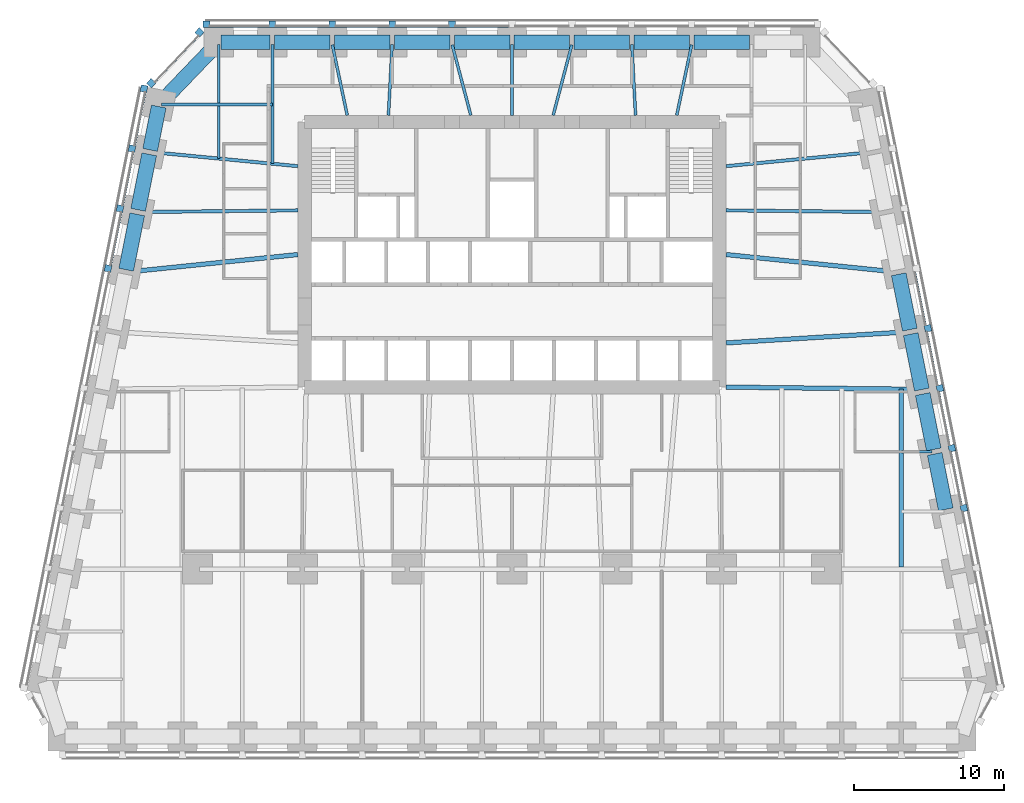
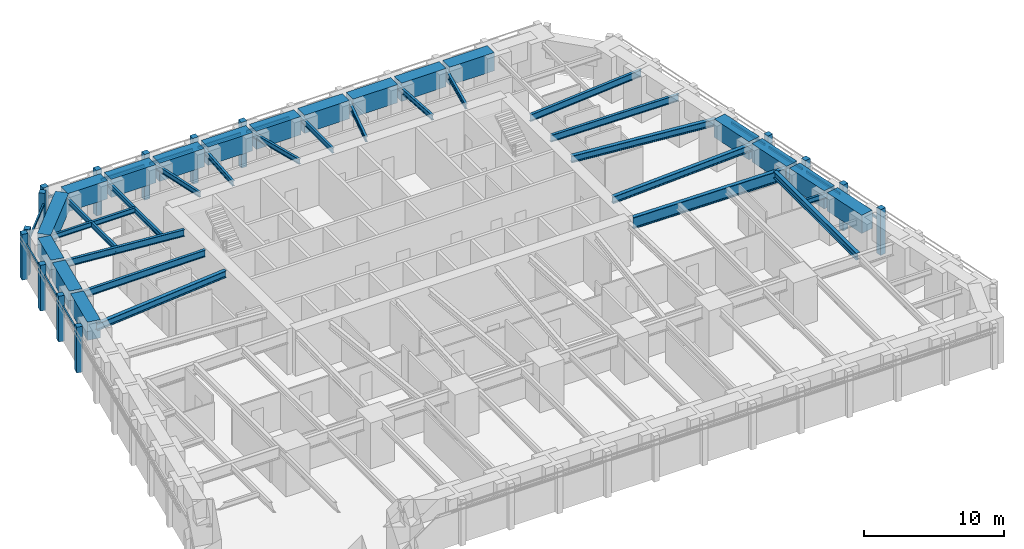
# One storey, part 3 of 10: 37 beams, 28 members, 4 elements without a shape of their own.
"""IFC4 building model written with IfcOpenShell, lengths in metres."""

from ifc_helpers import new_model, si_unit, direction, frame, origin, origin_2d, place, context, subcontext, project, spatial, rectangle, i_section, extrude, material, material_profile, profile_set, type_object, element, aggregate, save


model = new_model("IFC4")

# Units and contexts
model_context = context("Model", 3, precision=1e-05, world=origin(), true_north=direction((0.0, 1.0)))
body_context = subcontext(model_context, "Body", "Model", "MODEL_VIEW")
ifc_project = project(units=[si_unit("LENGTHUNIT", "METRE"), si_unit("AREAUNIT", "SQUARE_METRE"), si_unit("VOLUMEUNIT", "CUBIC_METRE"), si_unit("PLANEANGLEUNIT", "RADIAN"), si_unit("MASSUNIT", "GRAM", prefix="KILO")], contexts=[model_context])

# Site, building, storey
site_placement = place(None, origin())
site = spatial("IfcSite", under=ifc_project, at=site_placement, CompositionType="ELEMENT")
building_placement = place(site_placement, origin())
building = spatial("IfcBuilding", under=site, at=building_placement, Name="Isbrekke Arena Tower", CompositionType="ELEMENT")
storey_placement = place(building_placement, frame((0.0, 0.0, 76.0)))
storey = spatial("IfcBuildingStorey", under=building, at=storey_placement, Name="L16", CompositionType="ELEMENT", Elevation=76.0)

# Beams
ifc_material_1 = material(Name="Steel S355", Category="steel")
ifc_material_profile_1 = material_profile(ifc_material_1, i_section(OverallWidth=0.219970703125, OverallDepth=0.60009765625, WebThickness=0.011962890625, FlangeThickness=0.01904296875, FilletRadius=0.02392578125, at=origin_2d()), Name="IPE 600")
ifc_profile_set_1 = profile_set([ifc_material_profile_1], Name="Steel S355")
beam_type_1 = type_object("IfcBeamType", Name="B1 IPE 600", PredefinedType="BEAM", material=ifc_profile_set_1)
beam_1_placement = place(storey_placement, frame((24.83984375, 17.838134765625, 3.550048828125), z_axis=(-0.999943729589, 0.010608376645, 0.0), x_axis=(-0.010608376645, -0.999943729589, 0.0)))
element("IfcBeam", 1, at=beam_1_placement, inside=storey, type_object=beam_type_1, Name="B1 beam E-E09 L16", PredefinedType="BEAM", context=body_context, shape_type="SweptSolid", body=[
    extrude(i_section(OverallWidth=0.219970703125, OverallDepth=0.60009765625, WebThickness=0.011962890625, FlangeThickness=0.01904296875, FilletRadius=0.02392578125, at=origin_2d()), origin(), (0.0, 0.0, 1.0), 10.540283203125),
])
for number, where, z_axis, x_axis, name in (
    (2, (24.030517578125, 21.837158203125, 3.550048828125), (-0.995393091527, -0.095878012805, 0.0), (0.095878012805, -0.995393091527, 0.0), "B1 beam E-E10 L16"),
    (3, (-24.030517578125, 21.837158203125, 3.550048828125), (0.995393091527, -0.095878012805, 0.0), (0.095878012805, 0.995393091527, 0.0), "B1 beam E-W02 L16"),
):
    element("IfcBeam", number, at=place(storey_placement, frame(where, z_axis=z_axis, x_axis=x_axis)), inside=storey, type_object=beam_type_1, Name=name, PredefinedType="BEAM", context=body_context, shape_type="SweptSolid", body=[
        extrude(i_section(OverallWidth=0.219970703125, OverallDepth=0.60009765625, WebThickness=0.011962890625, FlangeThickness=0.01904296875, FilletRadius=0.02392578125, at=origin_2d()), origin(), (0.0, 0.0, 1.0), 9.775390625),
    ])
beam_2_placement = place(storey_placement, frame((-24.83984375, 17.838134765625, 3.550048828125), z_axis=(0.999943729589, 0.010608376645, 0.0), x_axis=(-0.010608376645, 0.999943729589, 0.0)))
element("IfcBeam", 4, at=beam_2_placement, inside=storey, type_object=beam_type_1, Name="B1 beam E-W03 L16", PredefinedType="BEAM", context=body_context, shape_type="SweptSolid", body=[
    extrude(i_section(OverallWidth=0.219970703125, OverallDepth=0.60009765625, WebThickness=0.011962890625, FlangeThickness=0.01904296875, FilletRadius=0.02392578125, at=origin_2d()), origin(), (0.0, 0.0, 1.0), 10.540283203125),
])
ifc_material_2 = material(Name="Steel S355", Category="steel")
ifc_material_profile_2 = material_profile(ifc_material_2, i_section(OverallWidth=0.18994140625, OverallDepth=0.449951171875, WebThickness=0.009521484375, FlangeThickness=0.0146484375, FilletRadius=0.02099609375, at=origin_2d()), Name="IPE 450")
ifc_profile_set_2 = profile_set([ifc_material_profile_2], Name="Steel S355")
beam_type_2 = type_object("IfcBeamType", Name="B2 IPE 450", PredefinedType="BEAM", material=ifc_profile_set_2)
beam_3_placement = place(storey_placement, frame((28.041015625, 1.838134765625, 3.625), z_axis=(-1.0, 0.0, 0.0), x_axis=(0.0, -1.0, 0.0)))
element("IfcBeam", 5, at=beam_3_placement, inside=storey, type_object=beam_type_2, Name="B2 beam E-E05 L16", PredefinedType="BEAM", context=body_context, shape_type="SweptSolid", body=[
    extrude(i_section(OverallWidth=0.18994140625, OverallDepth=0.449951171875, WebThickness=0.009521484375, FlangeThickness=0.0146484375, FilletRadius=0.02099609375, at=origin_2d()), origin(), (0.0, 0.0, 1.0), 2.041015625),
])
beam_4_placement = place(storey_placement, frame((-23.40283203125, 25.029296875, 3.625), z_axis=(1.0, 0.0, 0.0), x_axis=(0.0, 1.0, 0.0)))
element("IfcBeam", 6, at=beam_4_placement, inside=storey, type_object=beam_type_2, Name="B2 beam E-W01 L16", PredefinedType="BEAM", context=body_context, shape_type="SweptSolid", body=[
    extrude(i_section(OverallWidth=0.18994140625, OverallDepth=0.449951171875, WebThickness=0.009521484375, FlangeThickness=0.0146484375, FilletRadius=0.02099609375, at=origin_2d()), origin(), (0.0, 0.0, 1.0), 7.40283203125),
])
ifc_material_3 = material(Name="Steel S355", Category="steel")
ifc_material_profile_3 = material_profile(ifc_material_3, i_section(OverallWidth=0.18994140625, OverallDepth=0.449951171875, WebThickness=0.009521484375, FlangeThickness=0.0146484375, FilletRadius=0.02099609375, at=origin_2d()), Name="IPE 450")
ifc_profile_set_3 = profile_set([ifc_material_profile_3], Name="Steel S355")
beam_type_3 = type_object("IfcBeamType", Name="B3 IPE 450", PredefinedType="BEAM", material=ifc_profile_set_3)
beam_5_placement = place(storey_placement, frame((-16.0, 29.02490234375, 3.625), z_axis=(0.0, -1.0, 0.0), x_axis=(1.0, 0.0, 0.0)))
element("IfcBeam", 7, at=beam_5_placement, inside=storey, type_object=beam_type_3, Name="B3 beam N-N10 L16", PredefinedType="BEAM", context=body_context, shape_type="SweptSolid", body=[
    extrude(i_section(OverallWidth=0.18994140625, OverallDepth=0.449951171875, WebThickness=0.009521484375, FlangeThickness=0.0146484375, FilletRadius=0.02099609375, at=origin_2d()), origin(), (0.0, 0.0, 1.0), 7.961181640625),
])
beam_6_placement = place(storey_placement, frame((-19.574951171875, 29.02490234375, 3.625), z_axis=(0.0, -1.0, 0.0), x_axis=(1.0, 0.0, 0.0)))
element("IfcBeam", 8, at=beam_6_placement, inside=storey, type_object=beam_type_3, Name="B3 beam N-N11 L16", PredefinedType="BEAM", context=body_context, shape_type="SweptSolid", body=[
    extrude(i_section(OverallWidth=0.18994140625, OverallDepth=0.449951171875, WebThickness=0.009521484375, FlangeThickness=0.0146484375, FilletRadius=0.02099609375, at=origin_2d()), origin(), (0.0, 0.0, 1.0), 7.616943359375),
])
beam_7_placement = place(storey_placement, frame((11.995849609375, 29.005859375, 3.625), z_axis=(-0.207036135686, -0.978333296234, 0.0), x_axis=(0.978333296234, -0.207036135686, 0.0)))
element("IfcBeam", 9, at=beam_7_placement, inside=storey, type_object=beam_type_3, Name="B3 beam N-N03 L16", PredefinedType="BEAM", context=body_context, shape_type="SweptSolid", body=[
    extrude(i_section(OverallWidth=0.18994140625, OverallDepth=0.449951171875, WebThickness=0.009521484375, FlangeThickness=0.0146484375, FilletRadius=0.02099609375, at=origin_2d()), origin(), (0.0, 0.0, 1.0), 4.81005859375),
])
beam_8_placement = place(storey_placement, frame((8.000244140625, 29.02001953125, 3.625), z_axis=(0.05284078094, -0.998602950061, 0.0), x_axis=(0.998602950061, 0.05284078094, 0.0)))
element("IfcBeam", 10, at=beam_8_placement, inside=storey, type_object=beam_type_3, Name="B3 beam N-N04 L16", PredefinedType="BEAM", context=body_context, shape_type="SweptSolid", body=[
    extrude(i_section(OverallWidth=0.18994140625, OverallDepth=0.449951171875, WebThickness=0.009521484375, FlangeThickness=0.0146484375, FilletRadius=0.02099609375, at=origin_2d()), origin(), (0.0, 0.0, 1.0), 4.7265625),
])
beam_9_placement = place(storey_placement, frame((3.993896484375, 29.00146484375, 3.625), z_axis=(-0.255778031922, -0.966735536942, 0.0), x_axis=(0.966735536942, -0.255778031922, 0.0)))
element("IfcBeam", 11, at=beam_9_placement, inside=storey, type_object=beam_type_3, Name="B3 beam N-N05 L16", PredefinedType="BEAM", context=body_context, shape_type="SweptSolid", body=[
    extrude(i_section(OverallWidth=0.18994140625, OverallDepth=0.449951171875, WebThickness=0.009521484375, FlangeThickness=0.0146484375, FilletRadius=0.02099609375, at=origin_2d()), origin(), (0.0, 0.0, 1.0), 4.86328125),
])
beam_10_placement = place(storey_placement, frame((0.0, 29.02490234375, 3.625), z_axis=(0.0, -1.0, 0.0), x_axis=(1.0, 0.0, 0.0)))
element("IfcBeam", 12, at=beam_10_placement, inside=storey, type_object=beam_type_3, Name="B3 beam N-N06 L16", PredefinedType="BEAM", context=body_context, shape_type="SweptSolid", body=[
    extrude(i_section(OverallWidth=0.18994140625, OverallDepth=0.449951171875, WebThickness=0.009521484375, FlangeThickness=0.0146484375, FilletRadius=0.02099609375, at=origin_2d()), origin(), (0.0, 0.0, 1.0), 4.724853515625),
])
beam_11_placement = place(storey_placement, frame((-3.993896484375, 29.00146484375, 3.625), z_axis=(0.255778031922, -0.966735536942, 0.0), x_axis=(0.966735536942, 0.255778031922, 0.0)))
element("IfcBeam", 13, at=beam_11_placement, inside=storey, type_object=beam_type_3, Name="B3 beam N-N07 L16", PredefinedType="BEAM", context=body_context, shape_type="SweptSolid", body=[
    extrude(i_section(OverallWidth=0.18994140625, OverallDepth=0.449951171875, WebThickness=0.009521484375, FlangeThickness=0.0146484375, FilletRadius=0.02099609375, at=origin_2d()), origin(), (0.0, 0.0, 1.0), 4.86328125),
])
beam_12_placement = place(storey_placement, frame((-8.000244140625, 29.02001953125, 3.625), z_axis=(-0.05284078094, -0.998602950061, 0.0), x_axis=(0.998602950061, -0.05284078094, 0.0)))
element("IfcBeam", 14, at=beam_12_placement, inside=storey, type_object=beam_type_3, Name="B3 beam N-N08 L16", PredefinedType="BEAM", context=body_context, shape_type="SweptSolid", body=[
    extrude(i_section(OverallWidth=0.18994140625, OverallDepth=0.449951171875, WebThickness=0.009521484375, FlangeThickness=0.0146484375, FilletRadius=0.02099609375, at=origin_2d()), origin(), (0.0, 0.0, 1.0), 4.7265625),
])
beam_13_placement = place(storey_placement, frame((-11.995849609375, 29.005859375, 3.625), z_axis=(0.207036135686, -0.978333296234, 0.0), x_axis=(0.978333296234, 0.207036135686, 0.0)))
element("IfcBeam", 15, at=beam_13_placement, inside=storey, type_object=beam_type_3, Name="B3 beam N-N09 L16", PredefinedType="BEAM", context=body_context, shape_type="SweptSolid", body=[
    extrude(i_section(OverallWidth=0.18994140625, OverallDepth=0.449951171875, WebThickness=0.009521484375, FlangeThickness=0.0146484375, FilletRadius=0.02099609375, at=origin_2d()), origin(), (0.0, 0.0, 1.0), 4.81005859375),
])
ifc_material_4 = material(Name="Steel S355", Category="steel")
ifc_material_profile_4 = material_profile(ifc_material_4, i_section(OverallWidth=0.300048828125, OverallDepth=0.60009765625, WebThickness=0.015380859375, FlangeThickness=0.030029296875, FilletRadius=0.027099609375, at=origin_2d()), Name="HEB 600")
ifc_profile_set_4 = profile_set([ifc_material_profile_4], Name="Steel S355")
beam_type_4 = type_object("IfcBeamType", Name="B7 HEB 600", PredefinedType="BEAM", material=ifc_profile_set_4)
beam_14_placement = place(storey_placement, frame((26.0, -5.84912109375, 3.550048828125), z_axis=(0.0, 1.0, 0.0), x_axis=(-1.0, 0.0, 0.0)))
element("IfcBeam", 16, at=beam_14_placement, inside=storey, type_object=beam_type_4, Name="B7 beam C-M14 L16", PredefinedType="BEAM", context=body_context, shape_type="SweptSolid", body=[
    extrude(i_section(OverallWidth=0.300048828125, OverallDepth=0.60009765625, WebThickness=0.015380859375, FlangeThickness=0.030029296875, FilletRadius=0.027099609375, at=origin_2d()), origin(), (0.0, 0.0, 1.0), 11.864990234375),
])
beam_15_placement = place(storey_placement, frame((26.431884765625, 9.837646484375, 3.550048828125), z_axis=(-0.998157121592, -0.060682457223, 0.0), x_axis=(0.060682457223, -0.998157121592, 0.0)))
element("IfcBeam", 17, at=beam_15_placement, inside=storey, type_object=beam_type_4, Name="B7 beam E-E07 L16", PredefinedType="BEAM", context=body_context, shape_type="SweptSolid", body=[
    extrude(i_section(OverallWidth=0.300048828125, OverallDepth=0.60009765625, WebThickness=0.015380859375, FlangeThickness=0.030029296875, FilletRadius=0.027099609375, at=origin_2d()), origin(), (0.0, 0.0, 1.0), 12.154296875),
])
for number, where, z_axis, x_axis, name in (
    (18, (25.625732421875, 13.83984375, 3.550048828125), (-0.994794378016, 0.101902627384, 0.0), (-0.101902627384, -0.994794378016, 0.0), "B7 beam E-E08 L16"),
    (19, (-25.625732421875, 13.83984375, 3.550048828125), (0.994794378016, 0.101902627384, 0.0), (-0.101902627384, 0.994794378016, 0.0), "B7 beam E-W04 L16"),
):
    element("IfcBeam", number, at=place(storey_placement, frame(where, z_axis=z_axis, x_axis=x_axis)), inside=storey, type_object=beam_type_4, Name=name, PredefinedType="BEAM", context=body_context, shape_type="SweptSolid", body=[
        extrude(i_section(OverallWidth=0.300048828125, OverallDepth=0.60009765625, WebThickness=0.015380859375, FlangeThickness=0.030029296875, FilletRadius=0.027099609375, at=origin_2d()), origin(), (0.0, 0.0, 1.0), 11.385009765625),
    ])

# Curtain wall, members
ifc_material_5 = material(Name="Glazed aluminium curtain wall", Category="aluminium")
curtain_wall_type = type_object("IfcCurtainWallType", Name="CWL TOWER CURTAIN WALL LOW ZONE", PredefinedType="USERDEFINED", material=ifc_material_5)
curtain_wall_1_placement = place(storey_placement, origin())
curtain_wall_1 = element("IfcCurtainWall", 20, at=curtain_wall_1_placement, inside=storey, type_object=curtain_wall_type, Name="CWL curtain wall L16-E", ObjectType="TOWER CURTAIN WALL LOW ZONE", PredefinedType="USERDEFINED")
ifc_material_6 = material(Name="Aluminium mullion, pale brick slip cladding", Category="masonry")
ifc_material_profile_5 = material_profile(ifc_material_6, rectangle(XDim=0.449951171875, YDim=0.449951171875, at=origin_2d()), Name="PIER 450X450")
ifc_profile_set_5 = profile_set([ifc_material_profile_5], Name="Aluminium mullion, pale brick slip cladding")
member_type_1 = type_object("IfcMemberType", Name="CWL-M PIER MULLION 450 x 450", PredefinedType="MULLION", material=ifc_profile_set_5)
member_1_placement = place(storey_placement, frame((30.167724609375, -1.926513671875, 0.0), z_axis=(0.0, 0.0, 1.0), x_axis=(-0.196116135138, 0.980580675691, 0.0)))
member_1 = element("IfcMember", 21, at=member_1_placement, type_object=member_type_1, Name="CWL-M mullion 4", PredefinedType="MULLION", context=body_context, shape_type="SweptSolid", body=[
    extrude(rectangle(XDim=0.449951171875, YDim=0.449951171875, at=origin_2d()), origin(), (0.0, 0.0, 1.0), 4.0),
])
member_2_placement = place(storey_placement, frame((29.36767578125, 2.073486328125, 0.0), z_axis=(0.0, 0.0, 1.0), x_axis=(-0.196116135138, 0.980580675691, 0.0)))
member_2 = element("IfcMember", 22, at=member_2_placement, type_object=member_type_1, Name="CWL-M mullion 5", PredefinedType="MULLION", context=body_context, shape_type="SweptSolid", body=[
    extrude(rectangle(XDim=0.449951171875, YDim=0.449951171875, at=origin_2d()), origin(), (0.0, 0.0, 1.0), 4.0),
])
member_3_placement = place(storey_placement, frame((28.567626953125, 6.073486328125, 0.0), z_axis=(0.0, 0.0, 1.0), x_axis=(-0.196116135138, 0.980580675691, 0.0)))
member_3 = element("IfcMember", 23, at=member_3_placement, type_object=member_type_1, Name="CWL-M mullion 6", PredefinedType="MULLION", context=body_context, shape_type="SweptSolid", body=[
    extrude(rectangle(XDim=0.449951171875, YDim=0.449951171875, at=origin_2d()), origin(), (0.0, 0.0, 1.0), 4.0),
])
member_4_placement = place(storey_placement, frame((27.767822265625, 10.073486328125, 0.0), z_axis=(0.0, 0.0, 1.0), x_axis=(-0.196116135138, 0.980580675691, 0.0)))
member_4 = element("IfcMember", 24, at=member_4_placement, type_object=member_type_1, Name="CWL-M mullion 7", PredefinedType="MULLION", context=body_context, shape_type="SweptSolid", body=[
    extrude(rectangle(XDim=0.449951171875, YDim=0.449951171875, at=origin_2d()), origin(), (0.0, 0.0, 1.0), 4.0),
])

curtain_wall_2_placement = place(storey_placement, origin())
curtain_wall_2 = element("IfcCurtainWall", 25, at=curtain_wall_2_placement, inside=storey, type_object=curtain_wall_type, Name="CWL curtain wall L16-N", ObjectType="TOWER CURTAIN WALL LOW ZONE", PredefinedType="USERDEFINED")
member_5_placement = place(storey_placement, frame((-4.0, 30.375, 0.0), z_axis=(0.0, 0.0, 1.0), x_axis=(-1.0, 0.0, 0.0)))
member_5 = element("IfcMember", 26, at=member_5_placement, type_object=member_type_1, Name="CWL-M mullion 7", PredefinedType="MULLION", context=body_context, shape_type="SweptSolid", body=[
    extrude(rectangle(XDim=0.449951171875, YDim=0.449951171875, at=origin_2d()), origin(), (0.0, 0.0, 1.0), 4.0),
])
member_6_placement = place(storey_placement, frame((-8.0, 30.375, 0.0), z_axis=(0.0, 0.0, 1.0), x_axis=(-1.0, 0.0, 0.0)))
member_6 = element("IfcMember", 27, at=member_6_placement, type_object=member_type_1, Name="CWL-M mullion 8", PredefinedType="MULLION", context=body_context, shape_type="SweptSolid", body=[
    extrude(rectangle(XDim=0.449951171875, YDim=0.449951171875, at=origin_2d()), origin(), (0.0, 0.0, 1.0), 4.0),
])
member_7_placement = place(storey_placement, frame((-12.0, 30.375, 0.0), z_axis=(0.0, 0.0, 1.0), x_axis=(-1.0, 0.0, 0.0)))
member_7 = element("IfcMember", 28, at=member_7_placement, type_object=member_type_1, Name="CWL-M mullion 9", PredefinedType="MULLION", context=body_context, shape_type="SweptSolid", body=[
    extrude(rectangle(XDim=0.449951171875, YDim=0.449951171875, at=origin_2d()), origin(), (0.0, 0.0, 1.0), 4.0),
])
member_8_placement = place(storey_placement, frame((-16.0, 30.375, 0.0), z_axis=(0.0, 0.0, 1.0), x_axis=(-1.0, 0.0, 0.0)))
member_8 = element("IfcMember", 29, at=member_8_placement, type_object=member_type_1, Name="CWL-M mullion 10", PredefinedType="MULLION", context=body_context, shape_type="SweptSolid", body=[
    extrude(rectangle(XDim=0.449951171875, YDim=0.449951171875, at=origin_2d()), origin(), (0.0, 0.0, 1.0), 4.0),
])
member_9_placement = place(storey_placement, frame((-20.39990234375, 30.375, 0.0), z_axis=(0.0, 0.0, 1.0), x_axis=(-1.0, 0.0, 0.0)))
member_9 = element("IfcMember", 30, at=member_9_placement, type_object=member_type_1, Name="CWL-M mullion 11", PredefinedType="MULLION", context=body_context, shape_type="SweptSolid", body=[
    extrude(rectangle(XDim=0.449951171875, YDim=0.449951171875, at=origin_2d()), origin(), (0.0, 0.0, 1.0), 4.0),
])

curtain_wall_3_placement = place(storey_placement, origin())
curtain_wall_3 = element("IfcCurtainWall", 31, at=curtain_wall_3_placement, inside=storey, type_object=curtain_wall_type, Name="CWL curtain wall L16-NW", ObjectType="TOWER CURTAIN WALL LOW ZONE", PredefinedType="USERDEFINED")
member_10_placement = place(storey_placement, frame((-20.86572265625, 29.83642578125, 0.0), z_axis=(0.0, 0.0, 1.0), x_axis=(-0.68874946192, -0.72499943359, 0.0)))
member_10 = element("IfcMember", 32, at=member_10_placement, type_object=member_type_1, Name="CWL-M mullion 1", PredefinedType="MULLION", context=body_context, shape_type="SweptSolid", body=[
    extrude(rectangle(XDim=0.449951171875, YDim=0.449951171875, at=origin_2d()), origin(), (0.0, 0.0, 1.0), 4.0),
])
member_11_placement = place(storey_placement, frame((-24.087890625, 26.44482421875, 0.0), z_axis=(0.0, 0.0, 1.0), x_axis=(-0.68874946192, -0.72499943359, 0.0)))
member_11 = element("IfcMember", 33, at=member_11_placement, type_object=member_type_1, Name="CWL-M mullion 2", PredefinedType="MULLION", context=body_context, shape_type="SweptSolid", body=[
    extrude(rectangle(XDim=0.449951171875, YDim=0.449951171875, at=origin_2d()), origin(), (0.0, 0.0, 1.0), 4.0),
])

curtain_wall_4_placement = place(storey_placement, origin())
curtain_wall_4 = element("IfcCurtainWall", 34, at=curtain_wall_4_placement, inside=storey, type_object=curtain_wall_type, Name="CWL curtain wall L16-W", ObjectType="TOWER CURTAIN WALL LOW ZONE", PredefinedType="USERDEFINED")
member_12_placement = place(storey_placement, frame((-24.567626953125, 26.073486328125, 0.0), z_axis=(0.0, 0.0, 1.0), x_axis=(-0.196116135138, -0.980580675691, 0.0)))
member_12 = element("IfcMember", 35, at=member_12_placement, type_object=member_type_1, Name="CWL-M mullion 1", PredefinedType="MULLION", context=body_context, shape_type="SweptSolid", body=[
    extrude(rectangle(XDim=0.449951171875, YDim=0.449951171875, at=origin_2d()), origin(), (0.0, 0.0, 1.0), 4.0),
])
member_13_placement = place(storey_placement, frame((-25.36767578125, 22.073486328125, 0.0), z_axis=(0.0, 0.0, 1.0), x_axis=(-0.196116135138, -0.980580675691, 0.0)))
member_13 = element("IfcMember", 36, at=member_13_placement, type_object=member_type_1, Name="CWL-M mullion 2", PredefinedType="MULLION", context=body_context, shape_type="SweptSolid", body=[
    extrude(rectangle(XDim=0.449951171875, YDim=0.449951171875, at=origin_2d()), origin(), (0.0, 0.0, 1.0), 4.0),
])
member_14_placement = place(storey_placement, frame((-26.167724609375, 18.073486328125, 0.0), z_axis=(0.0, 0.0, 1.0), x_axis=(-0.196116135138, -0.980580675691, 0.0)))
member_14 = element("IfcMember", 37, at=member_14_placement, type_object=member_type_1, Name="CWL-M mullion 3", PredefinedType="MULLION", context=body_context, shape_type="SweptSolid", body=[
    extrude(rectangle(XDim=0.449951171875, YDim=0.449951171875, at=origin_2d()), origin(), (0.0, 0.0, 1.0), 4.0),
])
member_15_placement = place(storey_placement, frame((-26.9677734375, 14.073486328125, 0.0), z_axis=(0.0, 0.0, 1.0), x_axis=(-0.196116135138, -0.980580675691, 0.0)))
member_15 = element("IfcMember", 38, at=member_15_placement, type_object=member_type_1, Name="CWL-M mullion 4", PredefinedType="MULLION", context=body_context, shape_type="SweptSolid", body=[
    extrude(rectangle(XDim=0.449951171875, YDim=0.449951171875, at=origin_2d()), origin(), (0.0, 0.0, 1.0), 4.0),
])

# Member
ifc_material_7 = material(Name="Aluminium transom", Category="aluminium")
ifc_material_profile_6 = material_profile(ifc_material_7, rectangle(XDim=0.1201171875, YDim=0.199951171875, at=origin_2d()), Name="TRANSOM 120X200")
ifc_profile_set_6 = profile_set([ifc_material_profile_6], Name="Aluminium transom")
member_type_2 = type_object("IfcMemberType", Name="CWL-T TRANSOM 120 x 200", PredefinedType="USERDEFINED", material=ifc_profile_set_6)
member_16_placement = place(storey_placement, frame((30.0009765625, -1.730224609375, 3.0), z_axis=(-0.196103197847, 0.98058326306, 0.0), x_axis=(-0.98058326306, -0.196103197847, 0.0)))
member_16 = element("IfcMember", 39, at=member_16_placement, type_object=member_type_2, Name="CWL-T transom 4", ObjectType="TRANSOM", PredefinedType="USERDEFINED", context=body_context, shape_type="SweptSolid", body=[
    extrude(rectangle(XDim=0.1201171875, YDim=0.199951171875, at=origin_2d()), origin(), (0.0, 0.0, 1.0), 3.629150390625),
])

member_17_placement = place(storey_placement, frame((29.200927734375, 2.269775390625, 3.0), z_axis=(-0.196103197847, 0.98058326306, 0.0), x_axis=(-0.98058326306, -0.196103197847, 0.0)))
member_17 = element("IfcMember", 40, at=member_17_placement, type_object=member_type_2, Name="CWL-T transom 5", ObjectType="TRANSOM", PredefinedType="USERDEFINED", context=body_context, shape_type="SweptSolid", body=[
    extrude(rectangle(XDim=0.1201171875, YDim=0.199951171875, at=origin_2d()), origin(), (0.0, 0.0, 1.0), 3.629150390625),
])

member_18_placement = place(storey_placement, frame((28.401123046875, 6.269775390625, 3.0), z_axis=(-0.196167883278, 0.980570324643, 0.0), x_axis=(-0.980570324643, -0.196167883278, 0.0)))
member_18 = element("IfcMember", 41, at=member_18_placement, type_object=member_type_2, Name="CWL-T transom 6", ObjectType="TRANSOM", PredefinedType="USERDEFINED", context=body_context, shape_type="SweptSolid", body=[
    extrude(rectangle(XDim=0.1201171875, YDim=0.199951171875, at=origin_2d()), origin(), (0.0, 0.0, 1.0), 3.629150390625),
])

member_19_placement = place(storey_placement, frame((27.60107421875, 10.269775390625, 3.0), z_axis=(-0.196167883278, 0.980570324643, 0.0), x_axis=(-0.980570324643, -0.196167883278, 0.0)))
member_19 = element("IfcMember", 42, at=member_19_placement, type_object=member_type_2, Name="CWL-T transom 7", ObjectType="TRANSOM", PredefinedType="USERDEFINED", context=body_context, shape_type="SweptSolid", body=[
    extrude(rectangle(XDim=0.1201171875, YDim=0.199951171875, at=origin_2d()), origin(), (0.0, 0.0, 1.0), 3.629150390625),
])

aggregate(curtain_wall_1, [member_1, member_2, member_3, member_4, member_16, member_17, member_18, member_19])

member_20_placement = place(storey_placement, frame((-0.22509765625, 30.25, 3.0), z_axis=(-1.0, 0.0, 0.0), x_axis=(0.0, -1.0, 0.0)))
member_20 = element("IfcMember", 43, at=member_20_placement, type_object=member_type_2, Name="CWL-T transom 6", ObjectType="TRANSOM", PredefinedType="USERDEFINED", context=body_context, shape_type="SweptSolid", body=[
    extrude(rectangle(XDim=0.1201171875, YDim=0.199951171875, at=origin_2d()), origin(), (0.0, 0.0, 1.0), 3.5498046875),
])

member_21_placement = place(storey_placement, frame((-4.22509765625, 30.25, 3.0), z_axis=(-1.0, 0.0, 0.0), x_axis=(0.0, -1.0, 0.0)))
member_21 = element("IfcMember", 44, at=member_21_placement, type_object=member_type_2, Name="CWL-T transom 7", ObjectType="TRANSOM", PredefinedType="USERDEFINED", context=body_context, shape_type="SweptSolid", body=[
    extrude(rectangle(XDim=0.1201171875, YDim=0.199951171875, at=origin_2d()), origin(), (0.0, 0.0, 1.0), 3.5498046875),
])

member_22_placement = place(storey_placement, frame((-8.22509765625, 30.25, 3.0), z_axis=(-1.0, 0.0, 0.0), x_axis=(0.0, -1.0, 0.0)))
member_22 = element("IfcMember", 45, at=member_22_placement, type_object=member_type_2, Name="CWL-T transom 8", ObjectType="TRANSOM", PredefinedType="USERDEFINED", context=body_context, shape_type="SweptSolid", body=[
    extrude(rectangle(XDim=0.1201171875, YDim=0.199951171875, at=origin_2d()), origin(), (0.0, 0.0, 1.0), 3.5498046875),
])

member_23_placement = place(storey_placement, frame((-12.22509765625, 30.25, 3.0), z_axis=(-1.0, 0.0, 0.0), x_axis=(0.0, -1.0, 0.0)))
member_23 = element("IfcMember", 46, at=member_23_placement, type_object=member_type_2, Name="CWL-T transom 9", ObjectType="TRANSOM", PredefinedType="USERDEFINED", context=body_context, shape_type="SweptSolid", body=[
    extrude(rectangle(XDim=0.1201171875, YDim=0.199951171875, at=origin_2d()), origin(), (0.0, 0.0, 1.0), 3.5498046875),
])

member_24_placement = place(storey_placement, frame((-16.22509765625, 30.25, 3.0), z_axis=(-1.0, 0.0, 0.0), x_axis=(0.0, -1.0, 0.0)))
member_24 = element("IfcMember", 47, at=member_24_placement, type_object=member_type_2, Name="CWL-T transom 10", ObjectType="TRANSOM", PredefinedType="USERDEFINED", context=body_context, shape_type="SweptSolid", body=[
    extrude(rectangle(XDim=0.1201171875, YDim=0.199951171875, at=origin_2d()), origin(), (0.0, 0.0, 1.0), 3.949951171875),
])

aggregate(curtain_wall_2, [member_5, member_6, member_7, member_8, member_9, member_20, member_21, member_22, member_23, member_24])

member_25_placement = place(storey_placement, frame((-20.93017578125, 29.587158203125, 3.0), z_axis=(-0.6887433918, -0.725005200155, 0.0), x_axis=(0.725005200155, -0.6887433918, 0.0)))
member_25 = element("IfcMember", 48, at=member_25_placement, type_object=member_type_2, Name="CWL-T transom 1", ObjectType="TRANSOM", PredefinedType="USERDEFINED", context=body_context, shape_type="SweptSolid", body=[
    extrude(rectangle(XDim=0.1201171875, YDim=0.199951171875, at=origin_2d()), origin(), (0.0, 0.0, 1.0), 4.22802734375),
])

aggregate(curtain_wall_3, [member_10, member_11, member_25])

member_26_placement = place(storey_placement, frame((-24.4892578125, 25.828369140625, 3.0), z_axis=(-0.196103197847, -0.98058326306, 0.0), x_axis=(0.98058326306, -0.196103197847, 0.0)))
member_26 = element("IfcMember", 49, at=member_26_placement, type_object=member_type_2, Name="CWL-T transom 1", ObjectType="TRANSOM", PredefinedType="USERDEFINED", context=body_context, shape_type="SweptSolid", body=[
    extrude(rectangle(XDim=0.1201171875, YDim=0.199951171875, at=origin_2d()), origin(), (0.0, 0.0, 1.0), 3.629150390625),
])

member_27_placement = place(storey_placement, frame((-25.289306640625, 21.828369140625, 3.0), z_axis=(-0.196103197847, -0.98058326306, 0.0), x_axis=(0.98058326306, -0.196103197847, 0.0)))
member_27 = element("IfcMember", 50, at=member_27_placement, type_object=member_type_2, Name="CWL-T transom 2", ObjectType="TRANSOM", PredefinedType="USERDEFINED", context=body_context, shape_type="SweptSolid", body=[
    extrude(rectangle(XDim=0.1201171875, YDim=0.199951171875, at=origin_2d()), origin(), (0.0, 0.0, 1.0), 3.629150390625),
])

member_28_placement = place(storey_placement, frame((-26.08935546875, 17.828369140625, 3.0), z_axis=(-0.196103197847, -0.98058326306, 0.0), x_axis=(0.98058326306, -0.196103197847, 0.0)))
member_28 = element("IfcMember", 51, at=member_28_placement, type_object=member_type_2, Name="CWL-T transom 3", ObjectType="TRANSOM", PredefinedType="USERDEFINED", context=body_context, shape_type="SweptSolid", body=[
    extrude(rectangle(XDim=0.1201171875, YDim=0.199951171875, at=origin_2d()), origin(), (0.0, 0.0, 1.0), 3.629150390625),
])

aggregate(curtain_wall_4, [member_12, member_13, member_14, member_15, member_26, member_27, member_28])

# Beams
ifc_material_8 = material(Name="Steel S355", Category="steel")
ifc_material_profile_7 = material_profile(ifc_material_8, i_section(OverallWidth=0.302001953125, OverallDepth=1.008056640625, WebThickness=0.02099609375, FlangeThickness=0.0400390625, FilletRadius=0.030029296875, at=origin_2d()), Name="HEM 1000")
ifc_profile_set_7 = profile_set([ifc_material_profile_7], Name="Steel S355")
beam_type_5 = type_object("IfcBeamType", Name="G2 HEM 1000", PredefinedType="BEAM", material=ifc_profile_set_7)
beam_16_placement = place(storey_placement, frame((14.300048828125, 6.14990234375, 3.345947265625), z_axis=(0.999934429634, -0.011451481699, 0.0), x_axis=(0.011451481699, 0.999934429634, 0.0)))
element("IfcBeam", 52, at=beam_16_placement, inside=storey, type_object=beam_type_5, Name="G2 beam G2-E L16", PredefinedType="BEAM", context=body_context, shape_type="SweptSolid", body=[
    extrude(i_section(OverallWidth=0.302001953125, OverallDepth=1.008056640625, WebThickness=0.02099609375, FlangeThickness=0.0400390625, FilletRadius=0.030029296875, at=origin_2d()), origin(), (0.0, 0.0, 1.0), 13.09033203125),
])
ifc_material_9 = material(Name="Concrete B90 (C90/105)", Category="concrete")
ifc_material_profile_8 = material_profile(ifc_material_9, rectangle(XDim=1.0, YDim=1.60009765625, at=origin_2d()), Name="RC 1000x1600")
ifc_profile_set_8 = profile_set([ifc_material_profile_8], Name="Concrete B90 (C90/105)")
beam_type_6 = type_object("IfcBeamType", Name="SB1 RC 1000 x 1600", PredefinedType="SPANDREL", material=ifc_profile_set_8)
for number, where, z_axis, x_axis, name in (
    (53, (28.961669921875, -2.0146484375, 3.199951171875), (-0.196128558387, 0.980578190959, 0.0), (-0.980578190959, -0.196128558387, 0.0), "SB1 spandrel E04-E05 L16"),
    (54, (28.16162109375, 1.9853515625, 3.199951171875), (-0.196128558387, 0.980578190959, 0.0), (-0.980578190959, -0.196128558387, 0.0), "SB1 spandrel E05-E06 L16"),
    (55, (27.361572265625, 5.9853515625, 3.199951171875), (-0.196128558387, 0.980578190959, 0.0), (-0.980578190959, -0.196128558387, 0.0), "SB1 spandrel E06-E07 L16"),
):
    element("IfcBeam", number, at=place(storey_placement, frame(where, z_axis=z_axis, x_axis=x_axis)), inside=storey, type_object=beam_type_6, Name=name, PredefinedType="SPANDREL", context=body_context, shape_type="SweptSolid", body=[
        extrude(rectangle(XDim=1.0, YDim=1.60009765625, at=origin_2d()), origin(), (0.0, 0.0, 1.0), 3.779296875),
    ])
beam_17_placement = place(storey_placement, frame((26.5615234375, 9.9853515625, 3.199951171875), z_axis=(-0.1960664412, 0.980590613169, 0.0), x_axis=(-0.980590613169, -0.1960664412, 0.0)))
element("IfcBeam", 56, at=beam_17_placement, inside=storey, type_object=beam_type_6, Name="SB1 spandrel E07-E08 L16", PredefinedType="SPANDREL", context=body_context, shape_type="SweptSolid", body=[
    extrude(rectangle(XDim=1.0, YDim=1.60009765625, at=origin_2d()), origin(), (0.0, 0.0, 1.0), 3.779052734375),
])
for number, where, z_axis, x_axis, name in (
    (57, (15.85009765625, 29.175048828125, 3.199951171875), (-1.0, 0.0, 0.0), (0.0, -1.0, 0.0), "SB1 spandrel N02-N03 L16"),
    (58, (11.85009765625, 29.175048828125, 3.199951171875), (-1.0, 0.0, 0.0), (0.0, -1.0, 0.0), "SB1 spandrel N03-N04 L16"),
    (59, (7.85009765625, 29.175048828125, 3.199951171875), (-1.0, 0.0, 0.0), (0.0, -1.0, 0.0), "SB1 spandrel N04-N05 L16"),
    (60, (3.85009765625, 29.175048828125, 3.199951171875), (-1.0, 0.0, 0.0), (0.0, -1.0, 0.0), "SB1 spandrel N05-N06 L16"),
    (61, (-0.14990234375, 29.175048828125, 3.199951171875), (-1.0, 0.0, 0.0), (0.0, -1.0, 0.0), "SB1 spandrel N06-N07 L16"),
    (62, (-4.14990234375, 29.175048828125, 3.199951171875), (-1.0, 0.0, 0.0), (0.0, -1.0, 0.0), "SB1 spandrel N07-N08 L16"),
    (63, (-8.14990234375, 29.175048828125, 3.199951171875), (-1.0, 0.0, 0.0), (0.0, -1.0, 0.0), "SB1 spandrel N08-N09 L16"),
    (64, (-12.14990234375, 29.175048828125, 3.199951171875), (-1.0, 0.0, 0.0), (0.0, -1.0, 0.0), "SB1 spandrel N09-N10 L16"),
):
    element("IfcBeam", number, at=place(storey_placement, frame(where, z_axis=z_axis, x_axis=x_axis)), inside=storey, type_object=beam_type_6, Name=name, PredefinedType="SPANDREL", context=body_context, shape_type="SweptSolid", body=[
        extrude(rectangle(XDim=1.0, YDim=1.60009765625, at=origin_2d()), origin(), (0.0, 0.0, 1.0), 3.7001953125),
    ])
beam_18_placement = place(storey_placement, frame((-16.14990234375, 29.175048828125, 3.199951171875), z_axis=(-1.0, 0.0, 0.0), x_axis=(0.0, -1.0, 0.0)))
element("IfcBeam", 65, at=beam_18_placement, inside=storey, type_object=beam_type_6, Name="SB1 spandrel N10-N11 L16", PredefinedType="SPANDREL", context=body_context, shape_type="SweptSolid", body=[
    extrude(rectangle(XDim=1.0, YDim=1.60009765625, at=origin_2d()), origin(), (0.0, 0.0, 1.0), 3.275146484375),
])
beam_19_placement = place(storey_placement, frame((-19.678955078125, 29.066650390625, 3.199951171875), z_axis=(-0.692339547635, -0.721571861134, 0.0), x_axis=(0.721571861134, -0.692339547635, 0.0)))
element("IfcBeam", 66, at=beam_19_placement, inside=storey, type_object=beam_type_6, Name="SB1 spandrel N11-W01 L16", PredefinedType="SPANDREL", context=body_context, shape_type="SweptSolid", body=[
    extrude(rectangle(XDim=1.0, YDim=1.60009765625, at=origin_2d()), origin(), (0.0, 0.0, 1.0), 5.4453125),
])
beam_20_placement = place(storey_placement, frame((-23.582275390625, 24.882080078125, 3.199951171875), z_axis=(-0.196116135138, -0.980580675691, 0.0), x_axis=(0.980580675691, -0.196116135138, 0.0)))
element("IfcBeam", 67, at=beam_20_placement, inside=storey, type_object=beam_type_6, Name="SB1 spandrel W01-W02 L16", PredefinedType="SPANDREL", context=body_context, shape_type="SweptSolid", body=[
    extrude(rectangle(XDim=1.0, YDim=1.60009765625, at=origin_2d()), origin(), (0.0, 0.0, 1.0), 2.9541015625),
])
for number, where, z_axis, x_axis, name in (
    (68, (-24.220458984375, 21.691162109375, 3.199951171875), (-0.196128558387, -0.980578190959, 0.0), (0.980578190959, -0.196128558387, 0.0), "SB1 spandrel W02-W03 L16"),
    (69, (-25.0205078125, 17.691162109375, 3.199951171875), (-0.196128558387, -0.980578190959, 0.0), (0.980578190959, -0.196128558387, 0.0), "SB1 spandrel W03-W04 L16"),
):
    element("IfcBeam", number, at=place(storey_placement, frame(where, z_axis=z_axis, x_axis=x_axis)), inside=storey, type_object=beam_type_6, Name=name, PredefinedType="SPANDREL", context=body_context, shape_type="SweptSolid", body=[
        extrude(rectangle(XDim=1.0, YDim=1.60009765625, at=origin_2d()), origin(), (0.0, 0.0, 1.0), 3.779296875),
    ])

save(model, "model.ifc")
